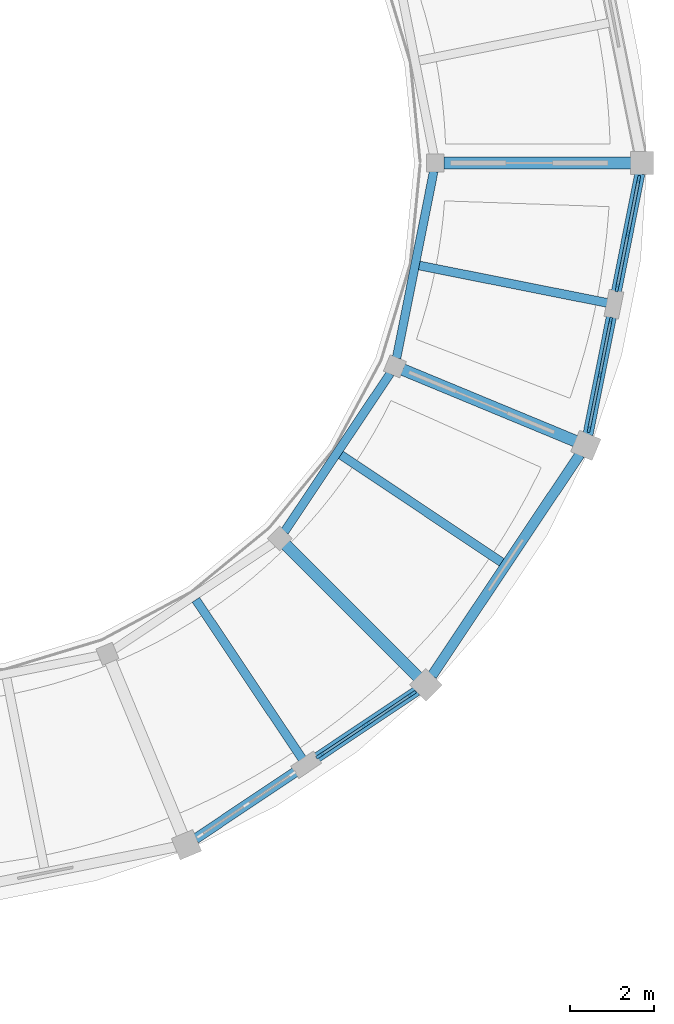
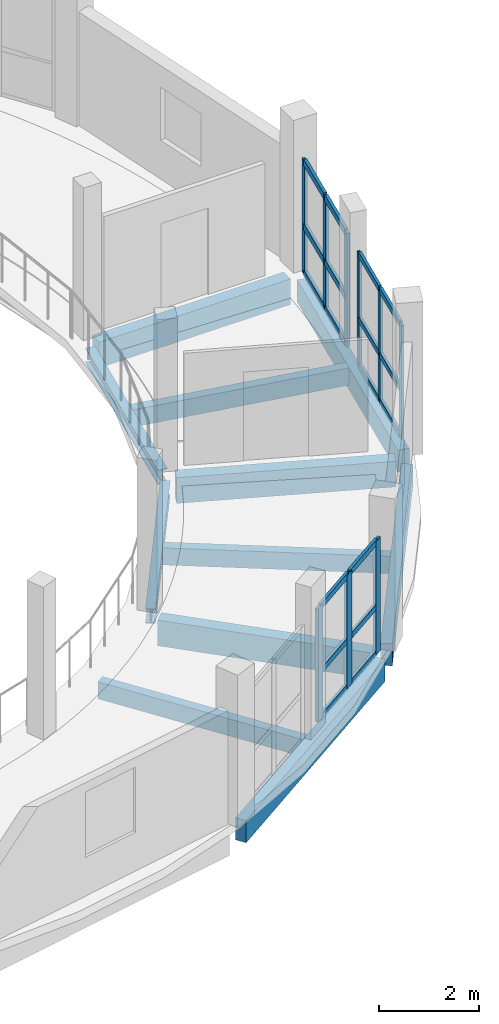
# One storey, part 42 of 77: 27 members, 11 beams, 3 elements without a shape of their own.
"""IFC4 building model written with IfcOpenShell, lengths in metres."""

from ifc_helpers import new_model, si_unit, direction, frame, origin, origin_2d, place, context, subcontext, project, spatial, rectangle, i_section, extrude, material, layer, layer_set, material_profile, profile_set, type_object, element, aggregate, save


model = new_model("IFC4")

# Units and contexts
model_context = context("Model", 3, precision=1e-05, world=origin(), true_north=direction((0.0, 1.0)))
body_context = subcontext(model_context, "Body", "Model", "MODEL_VIEW")
ifc_project = project(units=[si_unit("LENGTHUNIT", "METRE"), si_unit("AREAUNIT", "SQUARE_METRE"), si_unit("VOLUMEUNIT", "CUBIC_METRE"), si_unit("PLANEANGLEUNIT", "RADIAN"), si_unit("MASSUNIT", "GRAM", prefix="KILO")], contexts=[model_context])

# Site, building, storey
site_placement = place(None, origin())
site = spatial("IfcSite", under=ifc_project, at=site_placement, CompositionType="ELEMENT")
building_placement = place(site_placement, origin())
building = spatial("IfcBuilding", under=site, at=building_placement, Name="Caldaven Crescent School", CompositionType="ELEMENT")
storey_placement = place(building_placement, frame((0.0, 0.0, 4.419921875)))
storey = spatial("IfcBuildingStorey", under=building, at=storey_placement, Name="L01", CompositionType="ELEMENT", Elevation=4.419921875)

# Beams
ifc_material_1 = material(Name="Glulam MLE24h (GL28h)", Category="wood")
ifc_material_profile_1 = material_profile(ifc_material_1, rectangle(XDim=0.280029296875, YDim=0.6298828125, at=origin_2d()), Name="MLE 280x630")
ifc_profile_set_1 = profile_set([ifc_material_profile_1], Name="Glulam MLE24h (GL28h)")
beam_type_1 = type_object("IfcBeamType", Name="BM-GL63", PredefinedType="BEAM", material=ifc_profile_set_1)
beam_1_placement = place(storey_placement, frame((165.300048828125, 98.5, -0.534912109375), z_axis=(1.0, 0.0, 0.0), x_axis=(0.0, 1.0, 0.0)))
element("IfcBeam", 1, at=beam_1_placement, inside=storey, type_object=beam_type_1, Name="BM-V1-L01-0082", PredefinedType="BEAM", context=body_context, shape_type="SweptSolid", body=[
    extrude(rectangle(XDim=0.280029296875, YDim=0.6298828125, at=origin_2d()), origin(), (0.0, 0.0, 1.0), 4.43994140625),
])
beam_2_placement = place(storey_placement, frame((161.551025390625, 89.448974609375, -0.534912109375), z_axis=(0.707106781187, -0.707106781187, 0.0), x_axis=(0.707106781187, 0.707106781187, 0.0)))
element("IfcBeam", 2, at=beam_2_placement, inside=storey, type_object=beam_type_1, Name="BM-V1-L01-0135", PredefinedType="BEAM", context=body_context, shape_type="SweptSolid", body=[
    extrude(rectangle(XDim=0.280029296875, YDim=0.6298828125, at=origin_2d()), origin(), (0.0, 0.0, 1.0), 4.439697265625),
])
beam_3_placement = place(storey_placement, frame((164.32568359375, 93.6015625, -0.534912109375), z_axis=(0.923891512961, -0.382654507719, 0.0), x_axis=(0.382654507719, 0.923891512961, 0.0)))
element("IfcBeam", 3, at=beam_3_placement, inside=storey, type_object=beam_type_1, Name="BM-V1-L01-0139", PredefinedType="BEAM", context=body_context, shape_type="SweptSolid", body=[
    extrude(rectangle(XDim=0.280029296875, YDim=0.6298828125, at=origin_2d()), origin(), (0.0, 0.0, 1.0), 4.43994140625),
])
ifc_material_2 = material(Name="Steel ASTM A572 Grade 50", Category="steel")
ifc_material_profile_2 = material_profile(ifc_material_2, i_section(OverallWidth=0.205078125, OverallDepth=0.35400390625, WebThickness=0.009521484375, FlangeThickness=0.016845703125, FilletRadius=0.014892578125, at=origin_2d()), Name="W360x79")
ifc_profile_set_2 = profile_set([ifc_material_profile_2], Name="Steel ASTM A572 Grade 50")
beam_type_2 = type_object("IfcBeamType", Name="BM-W36", PredefinedType="BEAM", material=ifc_profile_set_2)
beam_4_placement = place(storey_placement, frame((161.520751953125, 89.7568359375, -0.39697265625), z_axis=(0.55556067933, 0.831475995794, 0.0), x_axis=(-0.831475995794, 0.55556067933, 0.0)))
element("IfcBeam", 4, at=beam_4_placement, inside=storey, type_object=beam_type_2, Name="BM-V1-L01-0136", PredefinedType="BEAM", context=body_context, shape_type="SweptSolid", body=[
    extrude(i_section(OverallWidth=0.205078125, OverallDepth=0.35400390625, WebThickness=0.009521484375, FlangeThickness=0.016845703125, FilletRadius=0.014892578125, at=origin_2d()), origin(), (0.0, 0.0, 1.0), 4.51611328125),
])
beam_5_placement = place(storey_placement, frame((164.179931640625, 93.874267578125, -0.39697265625), z_axis=(0.195086890453, 0.980785962977, 0.0), x_axis=(-0.980785962977, 0.195086890453, 0.0)))
element("IfcBeam", 5, at=beam_5_placement, inside=storey, type_object=beam_type_2, Name="BM-V1-L01-0140", PredefinedType="BEAM", context=body_context, shape_type="SweptSolid", body=[
    extrude(i_section(OverallWidth=0.205078125, OverallDepth=0.35400390625, WebThickness=0.009521484375, FlangeThickness=0.016845703125, FilletRadius=0.014892578125, at=origin_2d()), origin(), (0.0, 0.0, 1.0), 4.516357421875),
])

# Curtain wall, members
ifc_material_3 = material(Name="Anodised aluminium AA 6063-T6 and low-E double glazing", Category="aluminium")
ifc_layer_1 = layer(ifc_material_3, 0.22998046875)
ifc_layer_set_1 = layer_set([ifc_layer_1], Name="Anodised aluminium AA 6063-T6 and low-E double glazing")
curtain_wall_type_1 = type_object("IfcCurtainWallType", Name="CW-SYS4", PredefinedType="NOTDEFINED", material=ifc_layer_set_1)
curtain_wall_1_placement = place(storey_placement, origin())
curtain_wall_1 = element("IfcCurtainWall", 6, at=curtain_wall_1_placement, inside=storey, type_object=curtain_wall_type_1, Name="CW-L01-031", PredefinedType="NOTDEFINED")
ifc_material_4 = material(Name="Anodised aluminium AA 6063-T6", Category="aluminium")
ifc_material_profile_3 = material_profile(ifc_material_4, rectangle(XDim=0.06005859375, YDim=0.14990234375, at=origin_2d()), Name="CWM 60x150")
ifc_profile_set_3 = profile_set([ifc_material_profile_3], Name="Anodised aluminium AA 6063-T6")
member_type_1 = type_object("IfcMemberType", Name="CWM-T1", PredefinedType="MULLION", material=ifc_profile_set_3)
member_1_placement = place(storey_placement, frame((168.743896484375, 92.185546875, 0.0), z_axis=(0.0, 0.0, 1.0), x_axis=(-0.980785289392, 0.195090276825, 0.0)))
member_1 = element("IfcMember", 7, at=member_1_placement, type_object=member_type_1, Name="CW4 mullion 1", PredefinedType="MULLION", context=body_context, shape_type="SweptSolid", body=[
    extrude(rectangle(XDim=0.06005859375, YDim=0.14990234375, at=origin_2d()), origin(), (0.0, 0.0, 1.0), 2.780029296875),
])
member_2_placement = place(storey_placement, frame((169.0009765625, 93.477294921875, 0.0), z_axis=(0.0, 0.0, 1.0), x_axis=(-0.980785289392, 0.195090276825, 0.0)))
member_2 = element("IfcMember", 8, at=member_2_placement, type_object=member_type_1, Name="CW4 mullion 2", PredefinedType="MULLION", context=body_context, shape_type="SweptSolid", body=[
    extrude(rectangle(XDim=0.06005859375, YDim=0.14990234375, at=origin_2d()), origin(), (0.0, 0.0, 1.0), 2.780029296875),
])
member_3_placement = place(storey_placement, frame((169.2578125, 94.76904296875, 0.0), z_axis=(0.0, 0.0, 1.0), x_axis=(-0.980785289392, 0.195090276825, 0.0)))
member_3 = element("IfcMember", 9, at=member_3_placement, type_object=member_type_1, Name="CW4 mullion 3", PredefinedType="MULLION", context=body_context, shape_type="SweptSolid", body=[
    extrude(rectangle(XDim=0.06005859375, YDim=0.14990234375, at=origin_2d()), origin(), (0.0, 0.0, 1.0), 2.780029296875),
])

ifc_layer_2 = layer(ifc_material_3, 0.169921875)
ifc_layer_set_2 = layer_set([ifc_layer_2], Name="Anodised aluminium AA 6063-T6 and low-E double glazing")
curtain_wall_type_2 = type_object("IfcCurtainWallType", Name="CW-SYS1", PredefinedType="NOTDEFINED", material=ifc_layer_set_2)
curtain_wall_2_placement = place(storey_placement, origin())
curtain_wall_2 = element("IfcCurtainWall", 10, at=curtain_wall_2_placement, inside=storey, type_object=curtain_wall_type_2, Name="CW-L01-032", PredefinedType="NOTDEFINED")
ifc_material_profile_4 = material_profile(ifc_material_4, rectangle(XDim=0.06494140625, YDim=0.179931640625, at=origin_2d()), Name="CWM 65x180")
ifc_profile_set_4 = profile_set([ifc_material_profile_4], Name="Anodised aluminium AA 6063-T6")
member_type_2 = type_object("IfcMemberType", Name="CWM-T2", PredefinedType="MULLION", material=ifc_profile_set_4)
member_4_placement = place(storey_placement, frame((169.410400390625, 95.536376953125, 0.0), z_axis=(0.0, 0.0, 1.0), x_axis=(-0.980785289392, 0.195090276825, 0.0)))
member_4 = element("IfcMember", 11, at=member_4_placement, type_object=member_type_2, Name="CW1 mullion 1", PredefinedType="MULLION", context=body_context, shape_type="SweptSolid", body=[
    extrude(rectangle(XDim=0.06494140625, YDim=0.179931640625, at=origin_2d()), origin(), (0.0, 0.0, 1.0), 2.780029296875),
])
member_5_placement = place(storey_placement, frame((169.6669921875, 96.82568359375, 0.0), z_axis=(0.0, 0.0, 1.0), x_axis=(-0.980785289392, 0.195090276825, 0.0)))
member_5 = element("IfcMember", 12, at=member_5_placement, type_object=member_type_2, Name="CW1 mullion 2", PredefinedType="MULLION", context=body_context, shape_type="SweptSolid", body=[
    extrude(rectangle(XDim=0.06494140625, YDim=0.179931640625, at=origin_2d()), origin(), (0.0, 0.0, 1.0), 2.780029296875),
])
member_6_placement = place(storey_placement, frame((169.92333984375, 98.114990234375, 0.0), z_axis=(0.0, 0.0, 1.0), x_axis=(-0.980785289392, 0.195090276825, 0.0)))
member_6 = element("IfcMember", 13, at=member_6_placement, type_object=member_type_2, Name="CW1 mullion 3", PredefinedType="MULLION", context=body_context, shape_type="SweptSolid", body=[
    extrude(rectangle(XDim=0.06494140625, YDim=0.179931640625, at=origin_2d()), origin(), (0.0, 0.0, 1.0), 2.780029296875),
])

ifc_layer_3 = layer(ifc_material_3, 0.2099609375)
ifc_layer_set_3 = layer_set([ifc_layer_3], Name="Anodised aluminium AA 6063-T6 and low-E double glazing")
curtain_wall_type_3 = type_object("IfcCurtainWallType", Name="CW-SYS3", PredefinedType="NOTDEFINED", material=ifc_layer_set_3)
curtain_wall_3_placement = place(storey_placement, origin())
curtain_wall_3 = element("IfcCurtainWall", 14, at=curtain_wall_3_placement, inside=storey, type_object=curtain_wall_type_3, Name="CW-L01-030", PredefinedType="NOTDEFINED")
ifc_material_profile_5 = material_profile(ifc_material_4, rectangle(XDim=0.070068359375, YDim=0.2099609375, at=origin_2d()), Name="CWM 70x210")
ifc_profile_set_5 = profile_set([ifc_material_profile_5], Name="Anodised aluminium AA 6063-T6")
member_type_3 = type_object("IfcMemberType", Name="CWM-T3", PredefinedType="MULLION", material=ifc_profile_set_5)
member_7_placement = place(storey_placement, frame((162.364013671875, 84.4482421875, 0.0), z_axis=(0.0, 0.0, 1.0), x_axis=(-0.555571886154, 0.831468507711, 0.0)))
member_7 = element("IfcMember", 15, at=member_7_placement, type_object=member_type_3, Name="CW3 mullion 1", PredefinedType="MULLION", context=body_context, shape_type="SweptSolid", body=[
    extrude(rectangle(XDim=0.070068359375, YDim=0.2099609375, at=origin_2d()), origin(), (0.0, 0.0, 1.0), 2.780029296875),
])
member_8_placement = place(storey_placement, frame((163.455078125, 85.17724609375, 0.0), z_axis=(0.0, 0.0, 1.0), x_axis=(-0.555571886154, 0.831468507711, 0.0)))
member_8 = element("IfcMember", 16, at=member_8_placement, type_object=member_type_3, Name="CW3 mullion 2", PredefinedType="MULLION", context=body_context, shape_type="SweptSolid", body=[
    extrude(rectangle(XDim=0.070068359375, YDim=0.2099609375, at=origin_2d()), origin(), (0.0, 0.0, 1.0), 2.780029296875),
])
member_9_placement = place(storey_placement, frame((164.5458984375, 85.90625, 0.0), z_axis=(0.0, 0.0, 1.0), x_axis=(-0.555571886154, 0.831468507711, 0.0)))
member_9 = element("IfcMember", 17, at=member_9_placement, type_object=member_type_3, Name="CW3 mullion 3", PredefinedType="MULLION", context=body_context, shape_type="SweptSolid", body=[
    extrude(rectangle(XDim=0.070068359375, YDim=0.2099609375, at=origin_2d()), origin(), (0.0, 0.0, 1.0), 2.780029296875),
])
ifc_material_profile_6 = material_profile(ifc_material_4, rectangle(XDim=0.06494140625, YDim=0.139892578125, at=origin_2d()), Name="CWT 65x140")
ifc_profile_set_6 = profile_set([ifc_material_profile_6], Name="Anodised aluminium AA 6063-T6")
member_type_4 = type_object("IfcMemberType", Name="CWT-T2", PredefinedType="USERDEFINED", material=ifc_profile_set_6)
member_10_placement = place(storey_placement, frame((162.393310546875, 84.4677734375, 0.032470703125), z_axis=(0.831505536539, 0.555516464837, 0.0), x_axis=(-0.555516464837, 0.831505536539, 0.0)))
member_10 = element("IfcMember", 18, at=member_10_placement, type_object=member_type_4, Name="CW3 transom 1.1", ObjectType="TRANSOM", PredefinedType="USERDEFINED", context=body_context, shape_type="SweptSolid", body=[
    extrude(rectangle(XDim=0.06494140625, YDim=0.139892578125, at=origin_2d()), origin(), (0.0, 0.0, 1.0), 1.241943359375),
])
member_11_placement = place(storey_placement, frame((162.393310546875, 84.4677734375, 1.16796875), z_axis=(0.831505536539, 0.555516464837, 0.0), x_axis=(-0.555516464837, 0.831505536539, 0.0)))
member_11 = element("IfcMember", 19, at=member_11_placement, type_object=member_type_4, Name="CW3 transom 1.2", ObjectType="TRANSOM", PredefinedType="USERDEFINED", context=body_context, shape_type="SweptSolid", body=[
    extrude(rectangle(XDim=0.06494140625, YDim=0.139892578125, at=origin_2d()), origin(), (0.0, 0.0, 1.0), 1.241943359375),
])
member_12_placement = place(storey_placement, frame((162.393310546875, 84.4677734375, 2.74755859375), z_axis=(0.831505536539, 0.555516464837, 0.0), x_axis=(-0.555516464837, 0.831505536539, 0.0)))
member_12 = element("IfcMember", 20, at=member_12_placement, type_object=member_type_4, Name="CW3 transom 1.3", ObjectType="TRANSOM", PredefinedType="USERDEFINED", context=body_context, shape_type="SweptSolid", body=[
    extrude(rectangle(XDim=0.06494140625, YDim=0.139892578125, at=origin_2d()), origin(), (0.0, 0.0, 1.0), 1.241943359375),
])
member_13_placement = place(storey_placement, frame((163.484130859375, 85.19677734375, 0.032470703125), z_axis=(0.831505536539, 0.555516464837, 0.0), x_axis=(-0.555516464837, 0.831505536539, 0.0)))
member_13 = element("IfcMember", 21, at=member_13_placement, type_object=member_type_4, Name="CW3 transom 2.1", ObjectType="TRANSOM", PredefinedType="USERDEFINED", context=body_context, shape_type="SweptSolid", body=[
    extrude(rectangle(XDim=0.06494140625, YDim=0.139892578125, at=origin_2d()), origin(), (0.0, 0.0, 1.0), 1.241943359375),
])
member_14_placement = place(storey_placement, frame((163.484130859375, 85.19677734375, 1.16796875), z_axis=(0.831505536539, 0.555516464837, 0.0), x_axis=(-0.555516464837, 0.831505536539, 0.0)))
member_14 = element("IfcMember", 22, at=member_14_placement, type_object=member_type_4, Name="CW3 transom 2.2", ObjectType="TRANSOM", PredefinedType="USERDEFINED", context=body_context, shape_type="SweptSolid", body=[
    extrude(rectangle(XDim=0.06494140625, YDim=0.139892578125, at=origin_2d()), origin(), (0.0, 0.0, 1.0), 1.241943359375),
])
member_15_placement = place(storey_placement, frame((163.484130859375, 85.19677734375, 2.74755859375), z_axis=(0.831505536539, 0.555516464837, 0.0), x_axis=(-0.555516464837, 0.831505536539, 0.0)))
member_15 = element("IfcMember", 23, at=member_15_placement, type_object=member_type_4, Name="CW3 transom 2.3", ObjectType="TRANSOM", PredefinedType="USERDEFINED", context=body_context, shape_type="SweptSolid", body=[
    extrude(rectangle(XDim=0.06494140625, YDim=0.139892578125, at=origin_2d()), origin(), (0.0, 0.0, 1.0), 1.241943359375),
])
aggregate(curtain_wall_3, [member_7, member_8, member_9, member_10, member_11, member_12, member_13, member_14, member_15])

# Member
member_16_placement = place(storey_placement, frame((168.749755859375, 92.215087890625, 0.032470703125), z_axis=(0.195219522641, 0.980759571954, 0.0), x_axis=(-0.980759571954, 0.195219522641, 0.0)))
member_16 = element("IfcMember", 24, at=member_16_placement, type_object=member_type_4, Name="CW4 transom 1.1", ObjectType="TRANSOM", PredefinedType="USERDEFINED", context=body_context, shape_type="SweptSolid", body=[
    extrude(rectangle(XDim=0.06494140625, YDim=0.139892578125, at=origin_2d()), origin(), (0.0, 0.0, 1.0), 1.2568359375),
])

member_17_placement = place(storey_placement, frame((168.749755859375, 92.215087890625, 1.16796875), z_axis=(0.195219522641, 0.980759571954, 0.0), x_axis=(-0.980759571954, 0.195219522641, 0.0)))
member_17 = element("IfcMember", 25, at=member_17_placement, type_object=member_type_4, Name="CW4 transom 1.2", ObjectType="TRANSOM", PredefinedType="USERDEFINED", context=body_context, shape_type="SweptSolid", body=[
    extrude(rectangle(XDim=0.06494140625, YDim=0.139892578125, at=origin_2d()), origin(), (0.0, 0.0, 1.0), 1.2568359375),
])

member_18_placement = place(storey_placement, frame((168.749755859375, 92.215087890625, 2.74755859375), z_axis=(0.195219522641, 0.980759571954, 0.0), x_axis=(-0.980759571954, 0.195219522641, 0.0)))
member_18 = element("IfcMember", 26, at=member_18_placement, type_object=member_type_4, Name="CW4 transom 1.3", ObjectType="TRANSOM", PredefinedType="USERDEFINED", context=body_context, shape_type="SweptSolid", body=[
    extrude(rectangle(XDim=0.06494140625, YDim=0.139892578125, at=origin_2d()), origin(), (0.0, 0.0, 1.0), 1.2568359375),
])

member_19_placement = place(storey_placement, frame((169.0068359375, 93.506591796875, 0.032470703125), z_axis=(0.194995514945, 0.980804133939, 0.0), x_axis=(-0.980804133939, 0.194995514945, 0.0)))
member_19 = element("IfcMember", 27, at=member_19_placement, type_object=member_type_4, Name="CW4 transom 2.1", ObjectType="TRANSOM", PredefinedType="USERDEFINED", context=body_context, shape_type="SweptSolid", body=[
    extrude(rectangle(XDim=0.06494140625, YDim=0.139892578125, at=origin_2d()), origin(), (0.0, 0.0, 1.0), 1.257080078125),
])

member_20_placement = place(storey_placement, frame((169.0068359375, 93.506591796875, 1.16796875), z_axis=(0.194995514945, 0.980804133939, 0.0), x_axis=(-0.980804133939, 0.194995514945, 0.0)))
member_20 = element("IfcMember", 28, at=member_20_placement, type_object=member_type_4, Name="CW4 transom 2.2", ObjectType="TRANSOM", PredefinedType="USERDEFINED", context=body_context, shape_type="SweptSolid", body=[
    extrude(rectangle(XDim=0.06494140625, YDim=0.139892578125, at=origin_2d()), origin(), (0.0, 0.0, 1.0), 1.257080078125),
])

member_21_placement = place(storey_placement, frame((169.0068359375, 93.506591796875, 2.74755859375), z_axis=(0.194995514945, 0.980804133939, 0.0), x_axis=(-0.980804133939, 0.194995514945, 0.0)))
member_21 = element("IfcMember", 29, at=member_21_placement, type_object=member_type_4, Name="CW4 transom 2.3", ObjectType="TRANSOM", PredefinedType="USERDEFINED", context=body_context, shape_type="SweptSolid", body=[
    extrude(rectangle(XDim=0.06494140625, YDim=0.139892578125, at=origin_2d()), origin(), (0.0, 0.0, 1.0), 1.257080078125),
])

aggregate(curtain_wall_1, [member_1, member_2, member_3, member_16, member_17, member_18, member_19, member_20, member_21])

ifc_material_profile_7 = material_profile(ifc_material_4, rectangle(XDim=0.070068359375, YDim=0.159912109375, at=origin_2d()), Name="CWT 70x160")
ifc_profile_set_7 = profile_set([ifc_material_profile_7], Name="Anodised aluminium AA 6063-T6")
member_type_5 = type_object("IfcMemberType", Name="CWT-T3", PredefinedType="USERDEFINED", material=ifc_profile_set_7)
member_22_placement = place(storey_placement, frame((169.416748046875, 95.568359375, 0.03515625), z_axis=(0.195176756087, 0.980768083638, 0.0), x_axis=(-0.980768083638, 0.195176756087, 0.0)))
member_22 = element("IfcMember", 30, at=member_22_placement, type_object=member_type_5, Name="CW1 transom 1.1", ObjectType="TRANSOM", PredefinedType="USERDEFINED", context=body_context, shape_type="SweptSolid", body=[
    extrude(rectangle(XDim=0.070068359375, YDim=0.159912109375, at=origin_2d()), origin(), (0.0, 0.0, 1.0), 1.24951171875),
])

member_23_placement = place(storey_placement, frame((169.416748046875, 95.568359375, 1.16796875), z_axis=(0.195176756087, 0.980768083638, 0.0), x_axis=(-0.980768083638, 0.195176756087, 0.0)))
member_23 = element("IfcMember", 31, at=member_23_placement, type_object=member_type_5, Name="CW1 transom 1.2", ObjectType="TRANSOM", PredefinedType="USERDEFINED", context=body_context, shape_type="SweptSolid", body=[
    extrude(rectangle(XDim=0.070068359375, YDim=0.159912109375, at=origin_2d()), origin(), (0.0, 0.0, 1.0), 1.24951171875),
])

member_24_placement = place(storey_placement, frame((169.416748046875, 95.568359375, 2.7451171875), z_axis=(0.195176756087, 0.980768083638, 0.0), x_axis=(-0.980768083638, 0.195176756087, 0.0)))
member_24 = element("IfcMember", 32, at=member_24_placement, type_object=member_type_5, Name="CW1 transom 1.3", ObjectType="TRANSOM", PredefinedType="USERDEFINED", context=body_context, shape_type="SweptSolid", body=[
    extrude(rectangle(XDim=0.070068359375, YDim=0.159912109375, at=origin_2d()), origin(), (0.0, 0.0, 1.0), 1.24951171875),
])

member_25_placement = place(storey_placement, frame((169.67333984375, 96.857666015625, 0.03515625), z_axis=(0.194988815711, 0.980805465802, 0.0), x_axis=(-0.980805465802, 0.194988815711, 0.0)))
member_25 = element("IfcMember", 33, at=member_25_placement, type_object=member_type_5, Name="CW1 transom 2.1", ObjectType="TRANSOM", PredefinedType="USERDEFINED", context=body_context, shape_type="SweptSolid", body=[
    extrude(rectangle(XDim=0.070068359375, YDim=0.159912109375, at=origin_2d()), origin(), (0.0, 0.0, 1.0), 1.24951171875),
])

member_26_placement = place(storey_placement, frame((169.67333984375, 96.857666015625, 1.16796875), z_axis=(0.194988815711, 0.980805465802, 0.0), x_axis=(-0.980805465802, 0.194988815711, 0.0)))
member_26 = element("IfcMember", 34, at=member_26_placement, type_object=member_type_5, Name="CW1 transom 2.2", ObjectType="TRANSOM", PredefinedType="USERDEFINED", context=body_context, shape_type="SweptSolid", body=[
    extrude(rectangle(XDim=0.070068359375, YDim=0.159912109375, at=origin_2d()), origin(), (0.0, 0.0, 1.0), 1.24951171875),
])

member_27_placement = place(storey_placement, frame((169.67333984375, 96.857666015625, 2.7451171875), z_axis=(0.194988815711, 0.980805465802, 0.0), x_axis=(-0.980805465802, 0.194988815711, 0.0)))
member_27 = element("IfcMember", 35, at=member_27_placement, type_object=member_type_5, Name="CW1 transom 2.3", ObjectType="TRANSOM", PredefinedType="USERDEFINED", context=body_context, shape_type="SweptSolid", body=[
    extrude(rectangle(XDim=0.070068359375, YDim=0.159912109375, at=origin_2d()), origin(), (0.0, 0.0, 1.0), 1.24951171875),
])

aggregate(curtain_wall_2, [member_4, member_5, member_6, member_22, member_23, member_24, member_25, member_26, member_27])

# Beams
ifc_material_profile_8 = material_profile(ifc_material_1, rectangle(XDim=0.2099609375, YDim=0.419921875, at=origin_2d()), Name="MLE 210x420")
ifc_profile_set_8 = profile_set([ifc_material_profile_8], Name="Glulam MLE24h (GL28h)")
beam_type_3 = type_object("IfcBeamType", Name="JS-GL42", PredefinedType="JOIST", material=ifc_profile_set_8)
for number, where, z_axis, x_axis, name in (
    (36, (159.421142578125, 88.1416015625, -0.429931640625), (0.555584440946, -0.831460118694, 0.0), (0.831460118694, 0.555584440946, 0.0), "JS-V1-L01-0134"),
    (37, (162.8583984375, 91.578857421875, -0.429931640625), (0.831460118694, -0.555584440946, 0.0), (0.555584440946, 0.831460118694, 0.0), "JS-V1-L01-0138"),
    (38, (164.718505859375, 96.069580078125, -0.429931640625), (0.980791010348, -0.19506151343, 0.0), (0.19506151343, 0.980791010348, 0.0), "JS-V1-L01-0142"),
):
    element("IfcBeam", number, at=place(storey_placement, frame(where, z_axis=z_axis, x_axis=x_axis)), inside=storey, type_object=beam_type_3, Name=name, PredefinedType="JOIST", context=body_context, shape_type="SweptSolid", body=[
        extrude(rectangle(XDim=0.2099609375, YDim=0.419921875, at=origin_2d()), origin(), (0.0, 0.0, 1.0), 4.5859375),
    ])
ifc_material_profile_9 = material_profile(ifc_material_1, rectangle(XDim=0.239990234375, YDim=0.5400390625, at=origin_2d()), Name="MLE 240x540")
ifc_profile_set_9 = profile_set([ifc_material_profile_9], Name="Glulam MLE24h (GL28h)")
beam_type_4 = type_object("IfcBeamType", Name="SP-GL54", PredefinedType="SPANDREL", material=ifc_profile_set_9)
for number, where, z_axis, x_axis, name in (
    (39, (159.4130859375, 82.4765625, -0.489990234375), (0.831472291432, 0.555566223399, 0.0), (-0.555566223399, 0.831472291432, 0.0), "BM-V1-L01-0133"),
    (40, (165.018798828125, 86.341796875, -0.489990234375), (0.555566223399, 0.831472291432, 0.0), (-0.831472291432, 0.555566223399, 0.0), "BM-V1-L01-0137"),
    (41, (168.718505859375, 92.05810546875, -0.489990234375), (0.195096382354, 0.980784074908, 0.0), (-0.980784074908, 0.195096382354, 0.0), "BM-V1-L01-0141"),
):
    element("IfcBeam", number, at=place(storey_placement, frame(where, z_axis=z_axis, x_axis=x_axis)), inside=storey, type_object=beam_type_4, Name=name, PredefinedType="SPANDREL", context=body_context, shape_type="SweptSolid", body=[
        extrude(rectangle(XDim=0.239990234375, YDim=0.5400390625, at=origin_2d()), origin(), (0.0, 0.0, 1.0), 6.308349609375),
    ])

save(model, "model.ifc")
